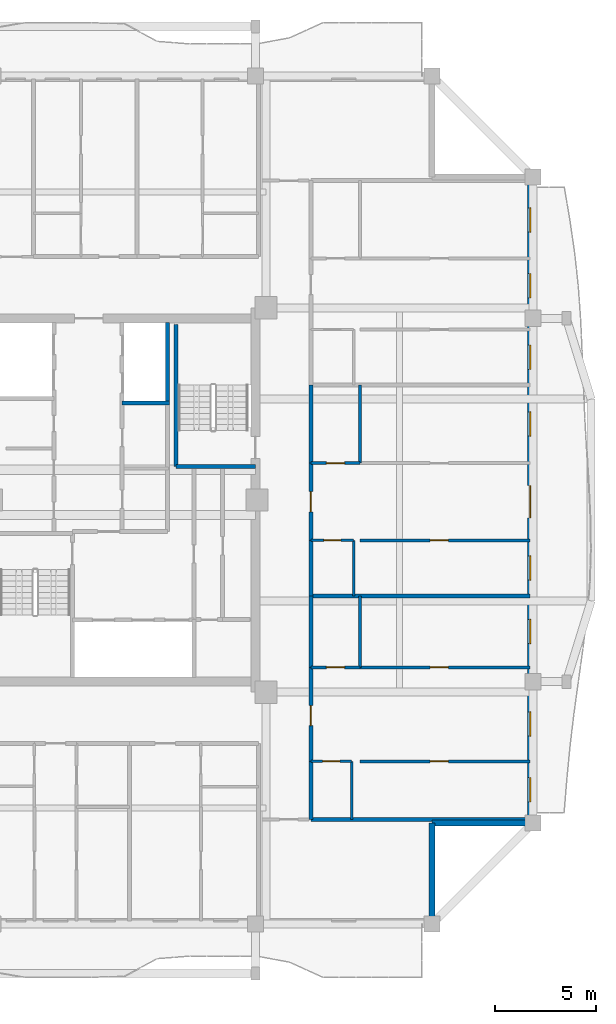
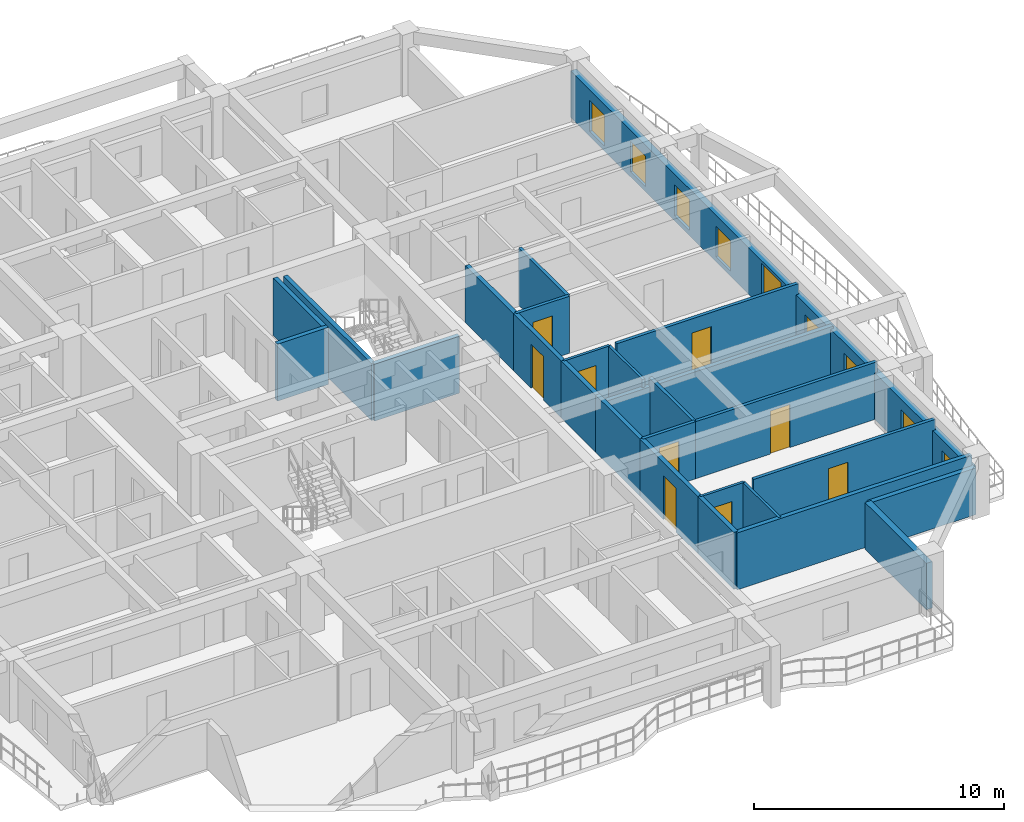
# One storey, part 5 of 13: 26 walls, 10 doors, 8 windows, 18 openings.
"""IFC4 building model written with IfcOpenShell, lengths in metres."""

from ifc_helpers import new_model, si_unit, direction, frame, frame_2d, origin, place, context, subcontext, project, spatial, rectangle, extrude, source, transform, mapped, material, layer, layer_set, type_object, element, fill, save


model = new_model("IFC4")

# Units and contexts
model_context = context("Model", 3, precision=1e-05, world=origin(), true_north=direction((0.0, 1.0)))
body_context = subcontext(model_context, "Body", "Model", "MODEL_VIEW")
ifc_project = project(units=[si_unit("LENGTHUNIT", "METRE"), si_unit("AREAUNIT", "SQUARE_METRE"), si_unit("VOLUMEUNIT", "CUBIC_METRE"), si_unit("PLANEANGLEUNIT", "RADIAN"), si_unit("MASSUNIT", "GRAM", prefix="KILO")], contexts=[model_context])

# Site, building, storey
site_placement = place(None, origin())
site = spatial("IfcSite", under=ifc_project, at=site_placement, CompositionType="ELEMENT")
building_placement = place(site_placement, origin())
building = spatial("IfcBuilding", under=site, at=building_placement, Name="Saelheon Loggia Tower", CompositionType="ELEMENT")
storey_placement = place(building_placement, frame((0.0, 0.0, 179.800048828125)))
storey = spatial("IfcBuildingStorey", under=building, at=storey_placement, Name="L56", CompositionType="ELEMENT", Elevation=179.800048828125)

# Wall, openings, windows, door
ifc_material_1 = material(Name="Architectural Precast Concrete C40/50", Category="concrete")
ifc_layer_1 = layer(ifc_material_1, 0.280029296875)
ifc_layer_set_1 = layer_set([ifc_layer_1], Name="Architectural Precast Concrete C40/50")
wall_type_1 = type_object("IfcWallType", Name="Wall_Ext_Loggia_280", PredefinedType="SOLIDWALL", material=ifc_layer_set_1)
wall_1_placement = place(storey_placement, frame((58.110107421875, 11.0, 0.0), z_axis=(0.0, 0.0, 1.0), x_axis=(0.0, 1.0, 0.0)))
wall_1 = element("IfcWall", 1, at=wall_1_placement, inside=storey, type_object=wall_type_1, Name="L56 East Loggia Inner Wall", PredefinedType="SOLIDWALL", context=body_context, shape_type="SweptSolid", body=[
    extrude(rectangle(XDim=32.0, YDim=0.280029296875, at=frame_2d((16.0, 0.0))), origin(), (0.0, 0.0, 1.0), 2.280029296875),
])
opening_1_placement = place(wall_1_placement, frame((1.049560546875, 0.0, 0.25)))
opening_1 = element("IfcOpeningElement", 2, at=opening_1_placement, cuts=wall_1, Name="Opening WN-03", PredefinedType="OPENING", context=body_context, shape_type="SweptSolid", body=[
    extrude(rectangle(XDim=1.199951171875, YDim=1.5, at=frame_2d((0.60009765625, 0.75))), frame((0.0, 0.152099609375, 0.0), z_axis=(0.0, -1.0, 0.0), x_axis=(1.0, 0.0, 0.0)), (0.0, 0.0, 1.0), 0.303955078125),
])
opening_2_placement = place(wall_1_placement, frame((4.3095703125, 0.0, 0.25)))
opening_2 = element("IfcOpeningElement", 3, at=opening_2_placement, cuts=wall_1, Name="Opening WN-03", PredefinedType="OPENING", context=body_context, shape_type="SweptSolid", body=[
    extrude(rectangle(XDim=1.199951171875, YDim=1.5, at=frame_2d((0.60009765625, 0.75))), frame((0.0, 0.152099609375, 0.0), z_axis=(0.0, -1.0, 0.0), x_axis=(1.0, 0.0, 0.0)), (0.0, 0.0, 1.0), 0.303955078125),
])
opening_3_placement = place(wall_1_placement, frame((8.882080078125, 0.0, 0.25)))
opening_3 = element("IfcOpeningElement", 4, at=opening_3_placement, cuts=wall_1, Name="Opening WN-03", PredefinedType="OPENING", context=body_context, shape_type="SweptSolid", body=[
    extrude(rectangle(XDim=1.199951171875, YDim=1.5, at=frame_2d((0.60009765625, 0.75))), frame((0.0, 0.152099609375, 0.0), z_axis=(0.0, -1.0, 0.0), x_axis=(1.0, 0.0, 0.0)), (0.0, 0.0, 1.0), 0.303955078125),
])
opening_4_placement = place(wall_1_placement, frame((12.029052734375, 0.0, 0.25)))
opening_4 = element("IfcOpeningElement", 5, at=opening_4_placement, cuts=wall_1, Name="Opening WN-03", PredefinedType="OPENING", context=body_context, shape_type="SweptSolid", body=[
    extrude(rectangle(XDim=1.199951171875, YDim=1.5, at=frame_2d((0.60009765625, 0.75))), frame((0.0, 0.152099609375, 0.0), z_axis=(0.0, -1.0, 0.0), x_axis=(1.0, 0.0, 0.0)), (0.0, 0.0, 1.0), 0.303955078125),
])
opening_5_placement = place(wall_1_placement, frame((16.717529296875, 0.0, 0.0), z_axis=(0.0, 0.0, 1.0), x_axis=(-1.0, 0.0, 0.0)))
opening_5 = element("IfcOpeningElement", 6, at=opening_5_placement, cuts=wall_1, Name="Opening DLG-1", PredefinedType="OPENING", context=body_context, shape_type="SweptSolid", body=[
    extrude(rectangle(XDim=1.60009765625, YDim=2.14990234375, at=frame_2d((0.800048828125, 1.074951171875))), frame((0.0, 0.152099609375, 0.0), z_axis=(0.0, -1.0, 0.0), x_axis=(1.0, 0.0, 0.0)), (0.0, 0.0, 1.0), 0.303955078125),
])
opening_6_placement = place(wall_1_placement, frame((19.1630859375, 0.0, 0.25)))
opening_6 = element("IfcOpeningElement", 7, at=opening_6_placement, cuts=wall_1, Name="Opening WN-03", PredefinedType="OPENING", context=body_context, shape_type="SweptSolid", body=[
    extrude(rectangle(XDim=1.199951171875, YDim=1.5, at=frame_2d((0.60009765625, 0.75))), frame((0.0, 0.152099609375, 0.0), z_axis=(0.0, -1.0, 0.0), x_axis=(1.0, 0.0, 0.0)), (0.0, 0.0, 1.0), 0.303955078125),
])
opening_7_placement = place(wall_1_placement, frame((22.47021484375, 0.0, 0.25)))
opening_7 = element("IfcOpeningElement", 8, at=opening_7_placement, cuts=wall_1, Name="Opening WN-03", PredefinedType="OPENING", context=body_context, shape_type="SweptSolid", body=[
    extrude(rectangle(XDim=1.199951171875, YDim=1.5, at=frame_2d((0.60009765625, 0.75))), frame((0.0, 0.152099609375, 0.0), z_axis=(0.0, -1.0, 0.0), x_axis=(1.0, 0.0, 0.0)), (0.0, 0.0, 1.0), 0.303955078125),
])
opening_8_placement = place(wall_1_placement, frame((26.00634765625, 0.0, 0.25)))
opening_8 = element("IfcOpeningElement", 9, at=opening_8_placement, cuts=wall_1, Name="Opening WN-03", PredefinedType="OPENING", context=body_context, shape_type="SweptSolid", body=[
    extrude(rectangle(XDim=1.199951171875, YDim=1.5, at=frame_2d((0.60009765625, 0.75))), frame((0.0, 0.152099609375, 0.0), z_axis=(0.0, -1.0, 0.0), x_axis=(1.0, 0.0, 0.0)), (0.0, 0.0, 1.0), 0.303955078125),
])
opening_9_placement = place(wall_1_placement, frame((29.266357421875, 0.0, 0.25)))
opening_9 = element("IfcOpeningElement", 10, at=opening_9_placement, cuts=wall_1, Name="Opening WN-03", PredefinedType="OPENING", context=body_context, shape_type="SweptSolid", body=[
    extrude(rectangle(XDim=1.199951171875, YDim=1.5, at=frame_2d((0.60009765625, 0.75))), frame((0.0, 0.152099609375, 0.0), z_axis=(0.0, -1.0, 0.0), x_axis=(1.0, 0.0, 0.0)), (0.0, 0.0, 1.0), 0.303955078125),
])
ifc_material_2 = material(Name="Thermal-Break Aluminium and Triple Low-E Glass", Category="aluminium")
window_type = type_object("IfcWindowType", Name="Win_Bedroom_1200x1500", PartitioningType="SINGLE_PANEL", PredefinedType="WINDOW", material=ifc_material_2)
shared_shape_1 = source(origin(), body_context, "Body", "SweptSolid", [
    extrude(rectangle(XDim=1.199951171875, YDim=1.5, at=frame_2d((0.60009765625, 0.75))), frame((0.0, 0.030029296875, 0.0), z_axis=(0.0, -1.0, 0.0), x_axis=(1.0, 0.0, 0.0)), (0.0, 0.0, 1.0), 0.06005859375),
])
window_1_placement = place(opening_1_placement, origin())
window_1 = element("IfcWindow", 11, at=window_1_placement, inside=storey, type_object=window_type, Name="L56 E Dwelling Window 1", OverallHeight=1.5, OverallWidth=1.199951171875, PartitioningType="SINGLE_PANEL", PredefinedType="WINDOW", context=body_context, shape_type="MappedRepresentation", body=[
    mapped(shared_shape_1, transform((0.0, 0.0, 0.0), scale=1.0)),
])
fill(opening_1, window_1)
window_2_placement = place(opening_2_placement, origin())
window_2 = element("IfcWindow", 12, at=window_2_placement, inside=storey, type_object=window_type, Name="L56 E Dwelling Window 2", OverallHeight=1.5, OverallWidth=1.199951171875, PartitioningType="SINGLE_PANEL", PredefinedType="WINDOW", context=body_context, shape_type="MappedRepresentation", body=[
    mapped(shared_shape_1, transform((0.0, 0.0, 0.0), scale=1.0)),
])
fill(opening_2, window_2)
window_3_placement = place(opening_3_placement, origin())
window_3 = element("IfcWindow", 13, at=window_3_placement, inside=storey, type_object=window_type, Name="L56 E Dwelling Window 3", OverallHeight=1.5, OverallWidth=1.199951171875, PartitioningType="SINGLE_PANEL", PredefinedType="WINDOW", context=body_context, shape_type="MappedRepresentation", body=[
    mapped(shared_shape_1, transform((0.0, 0.0, 0.0), scale=1.0)),
])
fill(opening_3, window_3)
window_4_placement = place(opening_4_placement, origin())
window_4 = element("IfcWindow", 14, at=window_4_placement, inside=storey, type_object=window_type, Name="L56 E Dwelling Window 4", OverallHeight=1.5, OverallWidth=1.199951171875, PartitioningType="SINGLE_PANEL", PredefinedType="WINDOW", context=body_context, shape_type="MappedRepresentation", body=[
    mapped(shared_shape_1, transform((0.0, 0.0, 0.0), scale=1.0)),
])
fill(opening_4, window_4)
window_5_placement = place(opening_6_placement, origin())
window_5 = element("IfcWindow", 15, at=window_5_placement, inside=storey, type_object=window_type, Name="L56 E Dwelling Window 6", OverallHeight=1.5, OverallWidth=1.199951171875, PartitioningType="SINGLE_PANEL", PredefinedType="WINDOW", context=body_context, shape_type="MappedRepresentation", body=[
    mapped(shared_shape_1, transform((0.0, 0.0, 0.0), scale=1.0)),
])
fill(opening_6, window_5)
window_6_placement = place(opening_7_placement, origin())
window_6 = element("IfcWindow", 16, at=window_6_placement, inside=storey, type_object=window_type, Name="L56 E Dwelling Window 7", OverallHeight=1.5, OverallWidth=1.199951171875, PartitioningType="SINGLE_PANEL", PredefinedType="WINDOW", context=body_context, shape_type="MappedRepresentation", body=[
    mapped(shared_shape_1, transform((0.0, 0.0, 0.0), scale=1.0)),
])
fill(opening_7, window_6)
window_7_placement = place(opening_8_placement, origin())
window_7 = element("IfcWindow", 17, at=window_7_placement, inside=storey, type_object=window_type, Name="L56 E Dwelling Window 8", OverallHeight=1.5, OverallWidth=1.199951171875, PartitioningType="SINGLE_PANEL", PredefinedType="WINDOW", context=body_context, shape_type="MappedRepresentation", body=[
    mapped(shared_shape_1, transform((0.0, 0.0, 0.0), scale=1.0)),
])
fill(opening_8, window_7)
window_8_placement = place(opening_9_placement, origin())
window_8 = element("IfcWindow", 18, at=window_8_placement, inside=storey, type_object=window_type, Name="L56 E Dwelling Window 9", OverallHeight=1.5, OverallWidth=1.199951171875, PartitioningType="SINGLE_PANEL", PredefinedType="WINDOW", context=body_context, shape_type="MappedRepresentation", body=[
    mapped(shared_shape_1, transform((0.0, 0.0, 0.0), scale=1.0)),
])
fill(opening_9, window_8)
ifc_material_3 = material(Name="Thermal-Break Aluminium Sliding Glazed Door", Category="aluminium")
door_type_1 = type_object("IfcDoorType", Name="Door_LoggiaSlide_1600", OperationType="SLIDING_TO_LEFT", PredefinedType="DOOR", material=ifc_material_3)
shared_shape_2 = source(origin(), body_context, "Body", "SweptSolid", [
    extrude(rectangle(XDim=1.60009765625, YDim=2.14990234375, at=frame_2d((0.800048828125, 1.074951171875))), frame((0.0, 0.02490234375, 0.0), z_axis=(0.0, -1.0, 0.0), x_axis=(1.0, 0.0, 0.0)), (0.0, 0.0, 1.0), 0.050048828125),
])
door_1_placement = place(opening_5_placement, origin())
door_1 = element("IfcDoor", 19, at=door_1_placement, inside=storey, type_object=door_type_1, Name="L56 E Loggia Access Door", OperationType="SLIDING_TO_LEFT", OverallHeight=2.14990234375, OverallWidth=1.60009765625, PredefinedType="DOOR", context=body_context, shape_type="MappedRepresentation", body=[
    mapped(shared_shape_2, transform((0.0, 0.0, 0.0), scale=1.0)),
])
fill(opening_5, door_1)

# Walls
for number, where, z_axis, x_axis, name in (
    (20, (53.25, 6.080078125, 0.0), (0.0, 0.0, 1.0), (0.0, 1.0, 0.0), "L56 Corner Notch Precast Wall SE1"),
    (21, (53.25, 11.0, 0.0), (0.0, 0.0, 1.0), (1.0, 0.0, 0.0), "L56 Corner Notch Precast Wall SE2"),
):
    element("IfcWall", number, at=place(storey_placement, frame(where, z_axis=z_axis, x_axis=x_axis)), inside=storey, type_object=wall_type_1, Name=name, PredefinedType="SOLIDWALL", context=body_context, shape_type="SweptSolid", body=[
        extrude(rectangle(XDim=4.919921875, YDim=0.280029296875, at=frame_2d((2.4599609375, 0.0))), origin(), (0.0, 0.0, 1.0), 2.280029296875),
    ])
ifc_material_4 = material(Name="Lightweight Autoclaved Aerated Concrete Block and Acoustic Gypsum", Category="concrete")
ifc_layer_2 = layer(ifc_material_4, 0.14990234375)
ifc_layer_set_2 = layer_set([ifc_layer_2], Name="Lightweight Autoclaved Aerated Concrete Block and Acoustic Gypsum")
wall_type_2 = type_object("IfcWallType", Name="Wall_Part_150", PredefinedType="PARTITIONING", material=ifc_layer_set_2)
wall_2_placement = place(storey_placement, frame((49.68994140625, 18.710205078125, 0.0), z_axis=(0.0, 0.0, 1.0), x_axis=(0.0, 1.0, 0.0)))
element("IfcWall", 22, at=wall_2_placement, inside=storey, type_object=wall_type_2, Name="L56 E Partition V07", PredefinedType="PARTITIONING", context=body_context, shape_type="SweptSolid", body=[
    extrude(rectangle(XDim=3.543701171875, YDim=0.14990234375, at=frame_2d((1.77197265625, 0.0))), origin(), (0.0, 0.0, 1.0), 2.7900390625),
])

# Wall, opening, door
wall_3_placement = place(storey_placement, frame((49.68994140625, 14.05908203125, 0.0), z_axis=(0.0, 0.0, 1.0), x_axis=(1.0, 0.0, 0.0)))
wall_3 = element("IfcWall", 23, at=wall_3_placement, inside=storey, type_object=wall_type_2, Name="L56 E Partition U09", PredefinedType="PARTITIONING", context=body_context, shape_type="SweptSolid", body=[
    extrude(rectangle(XDim=8.41015625, YDim=0.14990234375, at=frame_2d((4.205078125, 0.0))), origin(), (0.0, 0.0, 1.0), 2.7900390625),
])
opening_10_placement = place(wall_3_placement, frame((3.462158203125, 0.0, 0.0)))
opening_10 = element("IfcOpeningElement", 24, at=opening_10_placement, cuts=wall_3, Name="Opening D-IN2", PredefinedType="OPENING", context=body_context, shape_type="SweptSolid", body=[
    extrude(rectangle(XDim=0.89990234375, YDim=2.10009765625, at=frame_2d((0.449951171875, 1.050048828125))), frame((0.0, 0.0869140625, 0.0), z_axis=(0.0, -1.0, 0.0), x_axis=(1.0, 0.0, 0.0)), (0.0, 0.0, 1.0), 0.173828125),
])
ifc_material_5 = material(Name="Engineered Oak Flush Door", Category="timber")
door_type_2 = type_object("IfcDoorType", Name="Door_Int_900", OperationType="NOTDEFINED", PredefinedType="DOOR", material=ifc_material_5)
shared_shape_3 = source(origin(), body_context, "Body", "SweptSolid", [
    extrude(rectangle(XDim=0.89990234375, YDim=2.10009765625, at=frame_2d((0.449951171875, 1.050048828125))), frame((0.0, 0.02490234375, 0.0), z_axis=(0.0, -1.0, 0.0), x_axis=(1.0, 0.0, 0.0)), (0.0, 0.0, 1.0), 0.050048828125),
])
door_2_placement = place(opening_10_placement, origin())
door_2 = element("IfcDoor", 25, at=door_2_placement, inside=storey, type_object=door_type_2, Name="Unit U08 Bedroom 2 Door", OperationType="SINGLE_SWING_RIGHT", OverallHeight=2.10009765625, OverallWidth=0.89990234375, PredefinedType="DOOR", context=body_context, shape_type="MappedRepresentation", body=[
    mapped(shared_shape_3, transform((0.0, 0.0, 0.0), scale=1.0)),
])
fill(opening_10, door_2)

wall_4_placement = place(storey_placement, frame((47.25, 18.710205078125, 0.0), z_axis=(0.0, 0.0, 1.0), x_axis=(1.0, 0.0, 0.0)))
wall_4 = element("IfcWall", 26, at=wall_4_placement, inside=storey, type_object=wall_type_2, Name="L56 E Partition U10", PredefinedType="PARTITIONING", context=body_context, shape_type="SweptSolid", body=[
    extrude(rectangle(XDim=2.43994140625, YDim=0.14990234375, at=frame_2d((1.219970703125, 0.0))), origin(), (0.0, 0.0, 1.0), 2.7900390625),
])
opening_11_placement = place(wall_4_placement, frame((0.77001953125, 0.0, 0.0)))
opening_11 = element("IfcOpeningElement", 27, at=opening_11_placement, cuts=wall_4, Name="Opening D-IN2", PredefinedType="OPENING", context=body_context, shape_type="SweptSolid", body=[
    extrude(rectangle(XDim=0.89990234375, YDim=2.10009765625, at=frame_2d((0.449951171875, 1.050048828125))), frame((0.0, 0.0869140625, 0.0), z_axis=(0.0, -1.0, 0.0), x_axis=(1.0, 0.0, 0.0)), (0.0, 0.0, 1.0), 0.173828125),
])
door_3_placement = place(opening_11_placement, origin())
door_3 = element("IfcDoor", 28, at=door_3_placement, inside=storey, type_object=door_type_2, Name="Unit U08 Kitchen Door", OperationType="SINGLE_SWING_LEFT", OverallHeight=2.10009765625, OverallWidth=0.89990234375, PredefinedType="DOOR", context=body_context, shape_type="MappedRepresentation", body=[
    mapped(shared_shape_3, transform((0.0, 0.0, 0.0), scale=1.0)),
])
fill(opening_11, door_3)

wall_5_placement = place(storey_placement, frame((49.68994140625, 18.710205078125, 0.0), z_axis=(0.0, 0.0, 1.0), x_axis=(1.0, 0.0, 0.0)))
wall_5 = element("IfcWall", 29, at=wall_5_placement, inside=storey, type_object=wall_type_2, Name="L56 E Partition U11", PredefinedType="PARTITIONING", context=body_context, shape_type="SweptSolid", body=[
    extrude(rectangle(XDim=8.41015625, YDim=0.14990234375, at=frame_2d((4.205078125, 0.0))), origin(), (0.0, 0.0, 1.0), 2.7900390625),
])
opening_12_placement = place(wall_5_placement, frame((3.462158203125, 0.0, 0.0)))
opening_12 = element("IfcOpeningElement", 30, at=opening_12_placement, cuts=wall_5, Name="Opening D-IN2", PredefinedType="OPENING", context=body_context, shape_type="SweptSolid", body=[
    extrude(rectangle(XDim=0.89990234375, YDim=2.10009765625, at=frame_2d((0.449951171875, 1.050048828125))), frame((0.0, 0.0869140625, 0.0), z_axis=(0.0, -1.0, 0.0), x_axis=(1.0, 0.0, 0.0)), (0.0, 0.0, 1.0), 0.173828125),
])
door_4_placement = place(opening_12_placement, origin())
door_4 = element("IfcDoor", 31, at=door_4_placement, inside=storey, type_object=door_type_2, Name="Unit U08 Bedroom 1 Door", OperationType="SINGLE_SWING_RIGHT", OverallHeight=2.10009765625, OverallWidth=0.89990234375, PredefinedType="DOOR", context=body_context, shape_type="MappedRepresentation", body=[
    mapped(shared_shape_3, transform((0.0, 0.0, 0.0), scale=1.0)),
])
fill(opening_12, door_4)

# Wall
wall_6_placement = place(storey_placement, frame((49.68994140625, 28.830810546875, 0.0), z_axis=(0.0, 0.0, 1.0), x_axis=(0.0, 1.0, 0.0)))
element("IfcWall", 32, at=wall_6_placement, inside=storey, type_object=wall_type_2, Name="L56 E Partition V17", PredefinedType="PARTITIONING", context=body_context, shape_type="SweptSolid", body=[
    extrude(rectangle(XDim=3.864501953125, YDim=0.14990234375, at=frame_2d((1.93212890625, 0.0))), origin(), (0.0, 0.0, 1.0), 2.7900390625),
])

# Wall, opening, door
wall_7_placement = place(storey_placement, frame((49.68994140625, 25.00390625, 0.0), z_axis=(0.0, 0.0, 1.0), x_axis=(1.0, 0.0, 0.0)))
wall_7 = element("IfcWall", 33, at=wall_7_placement, inside=storey, type_object=wall_type_2, Name="L56 E Partition U19", PredefinedType="PARTITIONING", context=body_context, shape_type="SweptSolid", body=[
    extrude(rectangle(XDim=8.41015625, YDim=0.14990234375, at=frame_2d((4.205078125, 0.0))), origin(), (0.0, 0.0, 1.0), 2.7900390625),
])
opening_13_placement = place(wall_7_placement, frame((3.462158203125, 0.0, 0.0)))
opening_13 = element("IfcOpeningElement", 34, at=opening_13_placement, cuts=wall_7, Name="Opening D-IN2", PredefinedType="OPENING", context=body_context, shape_type="SweptSolid", body=[
    extrude(rectangle(XDim=0.89990234375, YDim=2.10009765625, at=frame_2d((0.449951171875, 1.050048828125))), frame((0.0, 0.0869140625, 0.0), z_axis=(0.0, -1.0, 0.0), x_axis=(1.0, 0.0, 0.0)), (0.0, 0.0, 1.0), 0.173828125),
])
door_5_placement = place(opening_13_placement, origin())
door_5 = element("IfcDoor", 35, at=door_5_placement, inside=storey, type_object=door_type_2, Name="Unit U09 Kitchen Door", OperationType="SINGLE_SWING_LEFT", OverallHeight=2.10009765625, OverallWidth=0.89990234375, PredefinedType="DOOR", context=body_context, shape_type="MappedRepresentation", body=[
    mapped(shared_shape_3, transform((0.0, 0.0, 0.0), scale=1.0)),
])
fill(opening_13, door_5)

wall_8_placement = place(storey_placement, frame((47.25, 28.830810546875, 0.0), z_axis=(0.0, 0.0, 1.0), x_axis=(1.0, 0.0, 0.0)))
wall_8 = element("IfcWall", 36, at=wall_8_placement, inside=storey, type_object=wall_type_2, Name="L56 E Partition U20", PredefinedType="PARTITIONING", context=body_context, shape_type="SweptSolid", body=[
    extrude(rectangle(XDim=2.43994140625, YDim=0.14990234375, at=frame_2d((1.219970703125, 0.0))), origin(), (0.0, 0.0, 1.0), 2.7900390625),
])
opening_14_placement = place(wall_8_placement, frame((0.77001953125, 0.0, 0.0)))
opening_14 = element("IfcOpeningElement", 37, at=opening_14_placement, cuts=wall_8, Name="Opening D-IN2", PredefinedType="OPENING", context=body_context, shape_type="SweptSolid", body=[
    extrude(rectangle(XDim=0.89990234375, YDim=2.10009765625, at=frame_2d((0.449951171875, 1.050048828125))), frame((0.0, 0.0869140625, 0.0), z_axis=(0.0, -1.0, 0.0), x_axis=(1.0, 0.0, 0.0)), (0.0, 0.0, 1.0), 0.173828125),
])
door_6_placement = place(opening_14_placement, origin())
door_6 = element("IfcDoor", 38, at=door_6_placement, inside=storey, type_object=door_type_2, Name="Unit U09 Dressing Closet Door", OperationType="SINGLE_SWING_RIGHT", OverallHeight=2.10009765625, OverallWidth=0.89990234375, PredefinedType="DOOR", context=body_context, shape_type="MappedRepresentation", body=[
    mapped(shared_shape_3, transform((0.0, 0.0, 0.0), scale=1.0)),
])
fill(opening_14, door_6)

# Walls
ifc_material_6 = material(Name="Double Acoustic Stud and Fireboard Partition", Category="gypsum")
ifc_layer_3 = layer(ifc_material_6, 0.199951171875)
ifc_layer_set_3 = layer_set([ifc_layer_3], Name="Double Acoustic Stud and Fireboard Partition")
wall_type_3 = type_object("IfcWallType", Name="Wall_Party_200", PredefinedType="PARTITIONING", material=ifc_layer_set_3)
wall_9_placement = place(storey_placement, frame((47.25, 11.179931640625, 0.0), z_axis=(0.0, 0.0, 1.0), x_axis=(1.0, 0.0, 0.0)))
element("IfcWall", 39, at=wall_9_placement, inside=storey, type_object=wall_type_3, Name="L56 E Partition U01", PredefinedType="PARTITIONING", context=body_context, shape_type="SweptSolid", body=[
    extrude(rectangle(XDim=10.85009765625, YDim=0.199951171875, at=frame_2d((5.425048828125, 0.0))), origin(), (0.0, 0.0, 1.0), 2.7900390625),
])
wall_10_placement = place(storey_placement, frame((47.25, 11.179931640625, 0.0), z_axis=(0.0, 0.0, 1.0), x_axis=(0.0, 1.0, 0.0)))
element("IfcWall", 40, at=wall_10_placement, inside=storey, type_object=wall_type_3, Name="L56 E Partition V03", PredefinedType="PARTITIONING", context=body_context, shape_type="SweptSolid", body=[
    extrude(rectangle(XDim=2.879150390625, YDim=0.199951171875, at=frame_2d((1.439453125, 0.0))), origin(), (0.0, 0.0, 1.0), 2.7900390625),
])

# Wall, opening, door
wall_11_placement = place(storey_placement, frame((47.25, 14.05908203125, 0.0), z_axis=(0.0, 0.0, 1.0), x_axis=(0.0, 1.0, 0.0)))
wall_11 = element("IfcWall", 41, at=wall_11_placement, inside=storey, type_object=wall_type_3, Name="L56 E Partition V04", PredefinedType="PARTITIONING", context=body_context, shape_type="SweptSolid", body=[
    extrude(rectangle(XDim=4.651123046875, YDim=0.199951171875, at=frame_2d((2.32568359375, 0.0))), origin(), (0.0, 0.0, 1.0), 2.7900390625),
])
opening_15_placement = place(wall_11_placement, frame((1.76025390625, 0.0, 0.0)))
opening_15 = element("IfcOpeningElement", 42, at=opening_15_placement, cuts=wall_11, Name="Opening D-FD1", PredefinedType="OPENING", context=body_context, shape_type="SweptSolid", body=[
    extrude(rectangle(XDim=1.0, YDim=2.14990234375, at=frame_2d((0.5, 1.074951171875))), frame((0.0, 0.112060546875, 0.0), z_axis=(0.0, -1.0, 0.0), x_axis=(1.0, 0.0, 0.0)), (0.0, 0.0, 1.0), 0.223876953125),
])
ifc_material_7 = material(Name="Fire-Rated Engineered Timber Entrance Door", Category="wood")
door_type_3 = type_object("IfcDoorType", Name="Door_Flat_FD30S", OperationType="NOTDEFINED", PredefinedType="DOOR", material=ifc_material_7)
shared_shape_4 = source(origin(), body_context, "Body", "SweptSolid", [
    extrude(rectangle(XDim=1.0, YDim=2.14990234375, at=frame_2d((0.5, 1.074951171875))), frame((0.0, 0.02490234375, 0.0), z_axis=(0.0, -1.0, 0.0), x_axis=(1.0, 0.0, 0.0)), (0.0, 0.0, 1.0), 0.050048828125),
])
door_7_placement = place(opening_15_placement, origin())
door_7 = element("IfcDoor", 43, at=door_7_placement, inside=storey, type_object=door_type_3, Name="Unit U08 Entrance Door", OperationType="SINGLE_SWING_RIGHT", OverallHeight=2.14990234375, OverallWidth=1.0, PredefinedType="DOOR", context=body_context, shape_type="MappedRepresentation", body=[
    mapped(shared_shape_4, transform((0.0, 0.0, 0.0), scale=1.0)),
])
fill(opening_15, door_7)

# Walls
wall_12_placement = place(storey_placement, frame((47.25, 18.710205078125, 0.0), z_axis=(0.0, 0.0, 1.0), x_axis=(0.0, 1.0, 0.0)))
element("IfcWall", 44, at=wall_12_placement, inside=storey, type_object=wall_type_3, Name="L56 E Partition V05", PredefinedType="PARTITIONING", context=body_context, shape_type="SweptSolid", body=[
    extrude(rectangle(XDim=3.543701171875, YDim=0.199951171875, at=frame_2d((1.77197265625, 0.0))), origin(), (0.0, 0.0, 1.0), 2.7900390625),
])
wall_13_placement = place(storey_placement, frame((47.25, 22.25390625, 0.0), z_axis=(0.0, 0.0, 1.0), x_axis=(1.0, 0.0, 0.0)))
element("IfcWall", 45, at=wall_13_placement, inside=storey, type_object=wall_type_3, Name="L56 E Partition U12", PredefinedType="PARTITIONING", context=body_context, shape_type="SweptSolid", body=[
    extrude(rectangle(XDim=10.85009765625, YDim=0.199951171875, at=frame_2d((5.425048828125, 0.0))), origin(), (0.0, 0.0, 1.0), 2.389892578125),
])
wall_14_placement = place(storey_placement, frame((47.25, 22.25390625, 0.0), z_axis=(0.0, 0.0, 1.0), x_axis=(0.0, 1.0, 0.0)))
element("IfcWall", 46, at=wall_14_placement, inside=storey, type_object=wall_type_3, Name="L56 E Partition V13", PredefinedType="PARTITIONING", context=body_context, shape_type="SweptSolid", body=[
    extrude(rectangle(XDim=2.75, YDim=0.199951171875, at=frame_2d((1.375, 0.0))), origin(), (0.0, 0.0, 1.0), 2.7900390625),
])

# Wall, opening, door
wall_15_placement = place(storey_placement, frame((47.25, 25.00390625, 0.0), z_axis=(0.0, 0.0, 1.0), x_axis=(0.0, 1.0, 0.0)))
wall_15 = element("IfcWall", 47, at=wall_15_placement, inside=storey, type_object=wall_type_3, Name="L56 E Partition V14", PredefinedType="PARTITIONING", context=body_context, shape_type="SweptSolid", body=[
    extrude(rectangle(XDim=3.826904296875, YDim=0.199951171875, at=frame_2d((1.91357421875, 0.0))), origin(), (0.0, 0.0, 1.0), 2.7900390625),
])
opening_16_placement = place(wall_15_placement, frame((1.413330078125, 0.0, 0.0)))
opening_16 = element("IfcOpeningElement", 48, at=opening_16_placement, cuts=wall_15, Name="Opening D-FD1", PredefinedType="OPENING", context=body_context, shape_type="SweptSolid", body=[
    extrude(rectangle(XDim=1.0, YDim=2.14990234375, at=frame_2d((0.5, 1.074951171875))), frame((0.0, 0.112060546875, 0.0), z_axis=(0.0, -1.0, 0.0), x_axis=(1.0, 0.0, 0.0)), (0.0, 0.0, 1.0), 0.223876953125),
])
door_8_placement = place(opening_16_placement, origin())
door_8 = element("IfcDoor", 49, at=door_8_placement, inside=storey, type_object=door_type_3, Name="Unit U09 Entrance Door", OperationType="SINGLE_SWING_LEFT", OverallHeight=2.14990234375, OverallWidth=1.0, PredefinedType="DOOR", context=body_context, shape_type="MappedRepresentation", body=[
    mapped(shared_shape_4, transform((0.0, 0.0, 0.0), scale=1.0)),
])
fill(opening_16, door_8)

# Walls
wall_16_placement = place(storey_placement, frame((47.25, 28.830810546875, 0.0), z_axis=(0.0, 0.0, 1.0), x_axis=(0.0, 1.0, 0.0)))
element("IfcWall", 50, at=wall_16_placement, inside=storey, type_object=wall_type_3, Name="L56 E Partition V15", PredefinedType="PARTITIONING", context=body_context, shape_type="SweptSolid", body=[
    extrude(rectangle(XDim=3.864501953125, YDim=0.199951171875, at=frame_2d((1.93212890625, 0.0))), origin(), (0.0, 0.0, 1.0), 2.7900390625),
])
ifc_material_8 = material(Name="Concrete C40/50", Category="concrete")
ifc_layer_4 = layer(ifc_material_8, 0.199951171875)
ifc_layer_set_4 = layer_set([ifc_layer_4], Name="Concrete C40/50")
wall_type_4 = type_object("IfcWallType", Name="Wall_Shaft_200", PredefinedType="PARTITIONING", material=ifc_layer_set_4)
wall_17_placement = place(storey_placement, frame((40.14990234375, 31.800048828125, 0.0), z_axis=(0.0, 0.0, 1.0), x_axis=(0.0, 1.0, 0.0)))
element("IfcWall", 51, at=wall_17_placement, inside=storey, type_object=wall_type_4, Name="L56 East High-Rise Hoistway East Wall", PredefinedType="PARTITIONING", context=body_context, shape_type="SweptSolid", body=[
    extrude(rectangle(XDim=3.97998046875, YDim=0.199951171875, at=frame_2d((1.989990234375, 0.0))), origin(), (0.0, 0.0, 1.0), 2.7900390625),
])
wall_18_placement = place(storey_placement, frame((37.89990234375, 31.800048828125, 0.0), z_axis=(0.0, 0.0, 1.0), x_axis=(1.0, 0.0, 0.0)))
element("IfcWall", 52, at=wall_18_placement, inside=storey, type_object=wall_type_4, Name="L56 East High-Rise Shaft Divider", PredefinedType="PARTITIONING", context=body_context, shape_type="SweptSolid", body=[
    extrude(rectangle(XDim=2.35009765625, YDim=0.199951171875, at=frame_2d((1.175048828125, 0.0))), origin(), (0.0, 0.0, 1.0), 2.7900390625),
])
ifc_material_9 = material(Name="Concrete C45/55", Category="concrete")
ifc_layer_5 = layer(ifc_material_9, 0.199951171875)
ifc_layer_set_5 = layer_set([ifc_layer_5], Name="Concrete C45/55")
wall_type_5 = type_object("IfcWallType", Name="Wall_StairShaft_RC200", PredefinedType="SOLIDWALL", material=ifc_layer_set_5)
wall_19_placement = place(storey_placement, frame((40.570068359375, 28.64990234375, 0.0), z_axis=(0.0, 0.0, 1.0), x_axis=(0.0, 1.0, 0.0)))
element("IfcWall", 53, at=wall_19_placement, inside=storey, type_object=wall_type_5, Name="L56 Stair ST2 Shaft Wall", PredefinedType="SOLIDWALL", context=body_context, shape_type="SweptSolid", body=[
    extrude(rectangle(XDim=7.050048828125, YDim=0.199951171875, at=frame_2d((3.52490234375, 0.0))), origin(), (0.0, 0.0, 1.0), 2.7900390625),
])
wall_20_placement = place(storey_placement, frame((40.570068359375, 28.64990234375, 0.0), z_axis=(0.0, 0.0, 1.0), x_axis=(1.0, 0.0, 0.0)))
element("IfcWall", 54, at=wall_20_placement, inside=storey, type_object=wall_type_5, Name="L56 Stair ST2 South Wall", PredefinedType="SOLIDWALL", context=body_context, shape_type="SweptSolid", body=[
    extrude(rectangle(XDim=3.929931640625, YDim=0.199951171875, at=frame_2d((1.96484375, 0.0))), origin(), (0.0, 0.0, 1.0), 2.7900390625),
])
ifc_material_10 = material(Name="Moisture-Resistant Cement Board Partition", Category="gypsum")
ifc_layer_6 = layer(ifc_material_10, 0.1201171875)
ifc_layer_set_6 = layer_set([ifc_layer_6], Name="Moisture-Resistant Cement Board Partition")
wall_type_6 = type_object("IfcWallType", Name="Wall_WetPart_120", PredefinedType="PARTITIONING", material=ifc_layer_set_6)
wall_21_placement = place(storey_placement, frame((49.27001953125, 11.179931640625, 0.0), z_axis=(0.0, 0.0, 1.0), x_axis=(0.0, 1.0, 0.0)))
element("IfcWall", 55, at=wall_21_placement, inside=storey, type_object=wall_type_6, Name="L56 E Partition V06", PredefinedType="PARTITIONING", context=body_context, shape_type="SweptSolid", body=[
    extrude(rectangle(XDim=2.879150390625, YDim=0.1201171875, at=frame_2d((1.439453125, 0.0))), origin(), (0.0, 0.0, 1.0), 2.7900390625),
])

# Wall, opening, door
wall_22_placement = place(storey_placement, frame((47.25, 14.05908203125, 0.0), z_axis=(0.0, 0.0, 1.0), x_axis=(1.0, 0.0, 0.0)))
wall_22 = element("IfcWall", 56, at=wall_22_placement, inside=storey, type_object=wall_type_6, Name="L56 E Partition U08", PredefinedType="PARTITIONING", context=body_context, shape_type="SweptSolid", body=[
    extrude(rectangle(XDim=2.02001953125, YDim=0.1201171875, at=frame_2d((1.010009765625, 0.0))), origin(), (0.0, 0.0, 1.0), 2.7900390625),
])
opening_17_placement = place(wall_22_placement, frame((0.5849609375, 0.0, 0.0)))
opening_17 = element("IfcOpeningElement", 57, at=opening_17_placement, cuts=wall_22, Name="Opening D-BT1", PredefinedType="OPENING", context=body_context, shape_type="SweptSolid", body=[
    extrude(rectangle(XDim=0.85009765625, YDim=2.050048828125, at=frame_2d((0.425048828125, 1.02490234375))), frame((0.0, 0.072021484375, 0.0), z_axis=(0.0, -1.0, 0.0), x_axis=(1.0, 0.0, 0.0)), (0.0, 0.0, 1.0), 0.14404296875),
])
ifc_material_11 = material(Name="Moisture-Resistant Laminate Timber Door", Category="wood")
door_type_4 = type_object("IfcDoorType", Name="Door_Bath_850", OperationType="NOTDEFINED", PredefinedType="DOOR", material=ifc_material_11)
shared_shape_5 = source(origin(), body_context, "Body", "SweptSolid", [
    extrude(rectangle(XDim=0.85009765625, YDim=2.050048828125, at=frame_2d((0.425048828125, 1.02490234375))), frame((0.0, 0.02490234375, 0.0), z_axis=(0.0, -1.0, 0.0), x_axis=(1.0, 0.0, 0.0)), (0.0, 0.0, 1.0), 0.050048828125),
])
door_9_placement = place(opening_17_placement, origin())
door_9 = element("IfcDoor", 58, at=door_9_placement, inside=storey, type_object=door_type_4, Name="Unit U08 Bathroom Door", OperationType="SINGLE_SWING_LEFT", OverallHeight=2.050048828125, OverallWidth=0.85009765625, PredefinedType="DOOR", context=body_context, shape_type="MappedRepresentation", body=[
    mapped(shared_shape_5, transform((0.0, 0.0, 0.0), scale=1.0)),
])
fill(opening_17, door_9)

# Wall
wall_23_placement = place(storey_placement, frame((49.3701171875, 22.25390625, 0.0), z_axis=(0.0, 0.0, 1.0), x_axis=(0.0, 1.0, 0.0)))
element("IfcWall", 59, at=wall_23_placement, inside=storey, type_object=wall_type_6, Name="L56 E Partition V16", PredefinedType="PARTITIONING", context=body_context, shape_type="SweptSolid", body=[
    extrude(rectangle(XDim=2.75, YDim=0.1201171875, at=frame_2d((1.375, 0.0))), origin(), (0.0, 0.0, 1.0), 2.7900390625),
])

# Wall, opening, door
wall_24_placement = place(storey_placement, frame((47.25, 25.00390625, 0.0), z_axis=(0.0, 0.0, 1.0), x_axis=(1.0, 0.0, 0.0)))
wall_24 = element("IfcWall", 60, at=wall_24_placement, inside=storey, type_object=wall_type_6, Name="L56 E Partition U18", PredefinedType="PARTITIONING", context=body_context, shape_type="SweptSolid", body=[
    extrude(rectangle(XDim=2.1201171875, YDim=0.1201171875, at=frame_2d((1.06005859375, 0.0))), origin(), (0.0, 0.0, 1.0), 2.7900390625),
])
opening_18_placement = place(wall_24_placement, frame((0.635009765625, 0.0, 0.0)))
opening_18 = element("IfcOpeningElement", 61, at=opening_18_placement, cuts=wall_24, Name="Opening D-BT1", PredefinedType="OPENING", context=body_context, shape_type="SweptSolid", body=[
    extrude(rectangle(XDim=0.85009765625, YDim=2.050048828125, at=frame_2d((0.425048828125, 1.02490234375))), frame((0.0, 0.072021484375, 0.0), z_axis=(0.0, -1.0, 0.0), x_axis=(1.0, 0.0, 0.0)), (0.0, 0.0, 1.0), 0.14404296875),
])
door_10_placement = place(opening_18_placement, origin())
door_10 = element("IfcDoor", 62, at=door_10_placement, inside=storey, type_object=door_type_4, Name="Unit U09 Bathroom Door", OperationType="SINGLE_SWING_RIGHT", OverallHeight=2.050048828125, OverallWidth=0.85009765625, PredefinedType="DOOR", context=body_context, shape_type="MappedRepresentation", body=[
    mapped(shared_shape_5, transform((0.0, 0.0, 0.0), scale=1.0)),
])
fill(opening_18, door_10)

save(model, "model.ifc")
